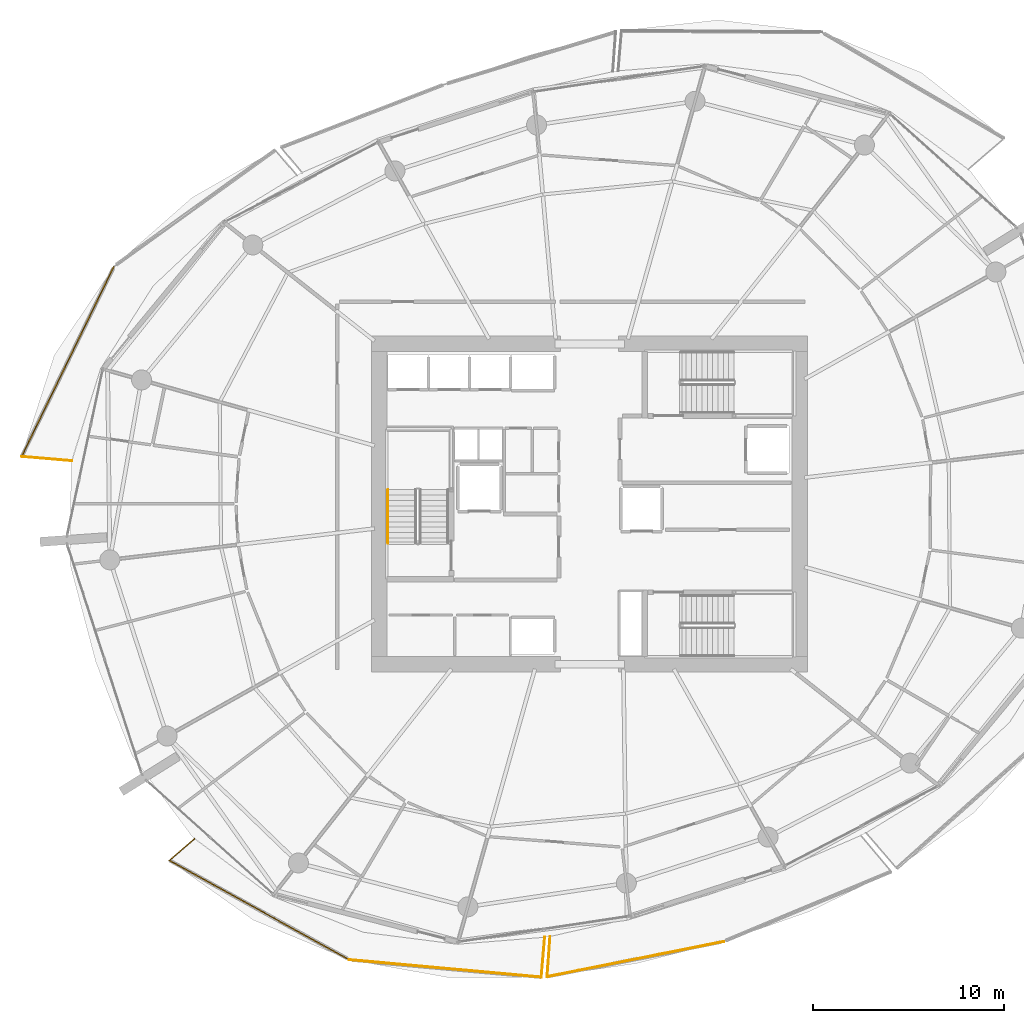
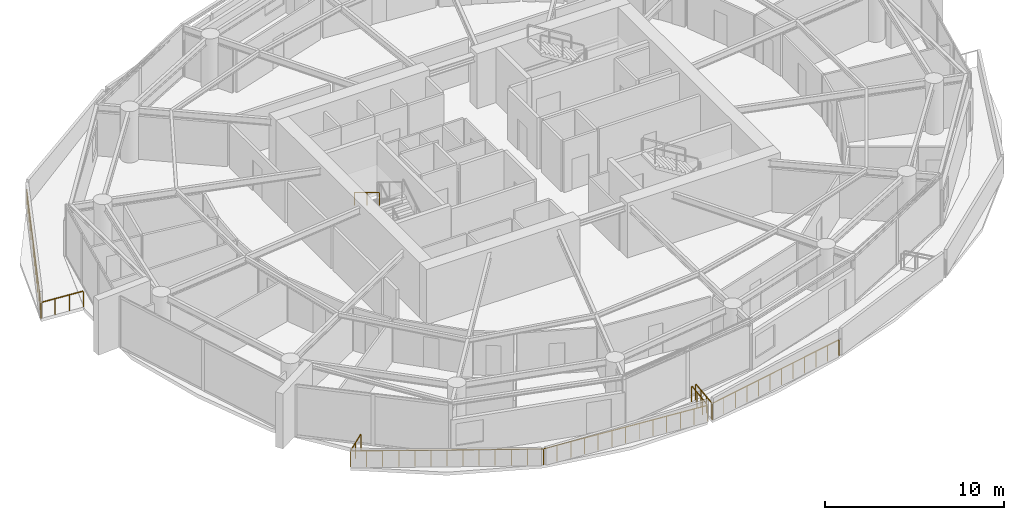
# One storey, part 16 of 20: 9 railings.
"""IFC4 building model written with IfcOpenShell, lengths in metres."""

from ifc_helpers import new_model, si_unit, direction, frame, origin, origin_2d, place, context, subcontext, project, spatial, rectangle, extrude, material, type_object, element, save


model = new_model("IFC4")

# Units and contexts
model_context = context("Model", 3, precision=1e-05, world=origin(), true_north=direction((0.0, 1.0)))
body_context = subcontext(model_context, "Body", "Model", "MODEL_VIEW")
ifc_project = project(units=[si_unit("LENGTHUNIT", "METRE"), si_unit("AREAUNIT", "SQUARE_METRE"), si_unit("VOLUMEUNIT", "CUBIC_METRE"), si_unit("PLANEANGLEUNIT", "RADIAN"), si_unit("MASSUNIT", "GRAM", prefix="KILO")], contexts=[model_context])

# Site, building, storey
site_placement = place(None, origin())
site = spatial("IfcSite", under=ifc_project, at=site_placement, CompositionType="ELEMENT")
building_placement = place(site_placement, origin())
building = spatial("IfcBuilding", under=site, at=building_placement, Name="Kazma Halo Residences", CompositionType="ELEMENT")
storey_placement = place(building_placement, frame((0.0, 0.0, 135.300048828125)))
storey = spatial("IfcBuildingStorey", under=building, at=storey_placement, Name="L33", CompositionType="ELEMENT", Elevation=135.300048828125)

# Railings
ifc_material_1 = material(Name="Aluminium AW-6063 T6 Brushed Cap Rail", Category="aluminium")
railing_type_1 = type_object("IfcRailingType", Name="RLG-BAL-CAP-1120", PredefinedType="BALUSTRADE", material=ifc_material_1)
railing_1_placement = place(storey_placement, frame((23.49609375, 54.4853515625, 0.0)))
element("IfcRailing", 1, at=railing_1_placement, inside=storey, type_object=railing_type_1, Name="L33 NW wave balcony guard 3", PredefinedType="BALUSTRADE", context=body_context, shape_type="SweptSolid", body=[
    extrude(rectangle(XDim=0.050048828125, YDim=0.050048828125, at=origin_2d()), frame((-0.0185546875, -0.038330078125, 1.09521484375), z_axis=(-0.437211218284, -0.8993588553, 0.0), x_axis=(0.8993588553, -0.437211218284, 0.0)), (0.0, 0.0, 1.0), 11.027099609375),
    extrude(rectangle(XDim=0.0400390625, YDim=0.0400390625, at=origin_2d()), origin(), (0.0, 0.0, 1.0), 1.05810546875),
    extrude(rectangle(XDim=0.0400390625, YDim=0.0400390625, at=origin_2d()), frame((-0.373779296875, -0.768798828125, 0.0)), (0.0, 0.0, 1.0), 1.05810546875),
    extrude(rectangle(XDim=0.0400390625, YDim=0.0400390625, at=origin_2d()), frame((-0.74755859375, -1.53759765625, 0.0)), (0.0, 0.0, 1.0), 1.05810546875),
    extrude(rectangle(XDim=0.0400390625, YDim=0.0400390625, at=origin_2d()), frame((-1.12109375, -2.306396484375, 0.0)), (0.0, 0.0, 1.0), 1.05810546875),
    extrude(rectangle(XDim=0.0400390625, YDim=0.0400390625, at=origin_2d()), frame((-1.494873046875, -3.074951171875, 0.0)), (0.0, 0.0, 1.0), 1.05810546875),
    extrude(rectangle(XDim=0.0400390625, YDim=0.0400390625, at=origin_2d()), frame((-1.86865234375, -3.84375, 0.0)), (0.0, 0.0, 1.0), 1.05810546875),
    extrude(rectangle(XDim=0.0400390625, YDim=0.0400390625, at=origin_2d()), frame((-2.242431640625, -4.612548828125, 0.0)), (0.0, 0.0, 1.0), 1.05810546875),
    extrude(rectangle(XDim=0.0400390625, YDim=0.0400390625, at=origin_2d()), frame((-2.615966796875, -5.38134765625, 0.0)), (0.0, 0.0, 1.0), 1.05810546875),
    extrude(rectangle(XDim=0.0400390625, YDim=0.0400390625, at=origin_2d()), frame((-2.98974609375, -6.150146484375, 0.0)), (0.0, 0.0, 1.0), 1.05810546875),
    extrude(rectangle(XDim=0.0400390625, YDim=0.0400390625, at=origin_2d()), frame((-3.363525390625, -6.9189453125, 0.0)), (0.0, 0.0, 1.0), 1.05810546875),
    extrude(rectangle(XDim=0.0400390625, YDim=0.0400390625, at=origin_2d()), frame((-3.7373046875, -7.6875, 0.0)), (0.0, 0.0, 1.0), 1.05810546875),
    extrude(rectangle(XDim=0.0400390625, YDim=0.0400390625, at=origin_2d()), frame((-4.11083984375, -8.456298828125, 0.0)), (0.0, 0.0, 1.0), 1.05810546875),
    extrude(rectangle(XDim=0.0400390625, YDim=0.0400390625, at=origin_2d()), frame((-4.484619140625, -9.22509765625, 0.0)), (0.0, 0.0, 1.0), 1.05810546875),
    extrude(rectangle(XDim=0.0400390625, YDim=0.0400390625, at=origin_2d()), frame((-4.8583984375, -9.993896484375, 0.0)), (0.0, 0.0, 1.0), 1.05810546875),
])
railing_2_placement = place(storey_placement, frame((18.6376953125, 44.491455078125, 0.0)))
element("IfcRailing", 2, at=railing_2_placement, inside=storey, type_object=railing_type_1, Name="L33 NW wave balcony guard 4", PredefinedType="BALUSTRADE", context=body_context, shape_type="SweptSolid", body=[
    extrude(rectangle(XDim=0.050048828125, YDim=0.050048828125, at=origin_2d()), frame((0.04248046875, -0.003662109375, 1.09521484375), z_axis=(0.996416946767, -0.084576995667, 0.0), x_axis=(0.084576995667, 0.996416946767, 0.0)), (0.0, 0.0, 1.0), 2.55322265625),
    extrude(rectangle(XDim=0.0400390625, YDim=0.0400390625, at=origin_2d()), origin(), (0.0, 0.0, 1.0), 1.05810546875),
    extrude(rectangle(XDim=0.0400390625, YDim=0.0400390625, at=origin_2d()), frame((0.876220703125, -0.074462890625, 0.0)), (0.0, 0.0, 1.0), 1.05810546875),
    extrude(rectangle(XDim=0.0400390625, YDim=0.0400390625, at=origin_2d()), frame((1.752685546875, -0.148681640625, 0.0)), (0.0, 0.0, 1.0), 1.05810546875),
    extrude(rectangle(XDim=0.0400390625, YDim=0.0400390625, at=origin_2d()), frame((2.62890625, -0.22314453125, 0.0)), (0.0, 0.0, 1.0), 1.05810546875),
])
railing_3_placement = place(storey_placement, frame((27.705322265625, 24.451416015625, 0.0)))
element("IfcRailing", 3, at=railing_3_placement, inside=storey, type_object=railing_type_1, Name="L33 SW wave balcony guard 1", PredefinedType="BALUSTRADE", context=body_context, shape_type="SweptSolid", body=[
    extrude(rectangle(XDim=0.050048828125, YDim=0.050048828125, at=origin_2d()), frame((-0.0322265625, -0.02783203125, 1.09521484375), z_axis=(-0.756363172452, -0.654151932932, 0.0), x_axis=(0.654151932932, -0.756363172452, 0.0)), (0.0, 0.0, 1.0), 1.65869140625),
    extrude(rectangle(XDim=0.0400390625, YDim=0.0400390625, at=origin_2d()), origin(), (0.0, 0.0, 1.0), 1.05810546875),
    extrude(rectangle(XDim=0.0400390625, YDim=0.0400390625, at=origin_2d()), frame((-0.659423828125, -0.5703125, 0.0)), (0.0, 0.0, 1.0), 1.05810546875),
    extrude(rectangle(XDim=0.0400390625, YDim=0.0400390625, at=origin_2d()), frame((-1.31884765625, -1.140625, 0.0)), (0.0, 0.0, 1.0), 1.05810546875),
])
railing_4_placement = place(storey_placement, frame((26.386474609375, 23.310791015625, 0.0)))
element("IfcRailing", 4, at=railing_4_placement, inside=storey, type_object=railing_type_1, Name="L33 SW wave balcony guard 2", PredefinedType="BALUSTRADE", context=body_context, shape_type="SweptSolid", body=[
    extrude(rectangle(XDim=0.050048828125, YDim=0.050048828125, at=origin_2d()), frame((0.037353515625, -0.0205078125, 1.09521484375), z_axis=(0.875455426186, -0.483298868984, 0.0), x_axis=(0.483298868984, 0.875455426186, 0.0)), (0.0, 0.0, 1.0), 10.69384765625),
    extrude(rectangle(XDim=0.0400390625, YDim=0.0400390625, at=origin_2d()), origin(), (0.0, 0.0, 1.0), 1.05810546875),
    extrude(rectangle(XDim=0.0400390625, YDim=0.0400390625, at=origin_2d()), frame((0.786376953125, -0.43408203125, 0.0)), (0.0, 0.0, 1.0), 1.05810546875),
    extrude(rectangle(XDim=0.0400390625, YDim=0.0400390625, at=origin_2d()), frame((1.57275390625, -0.8681640625, 0.0)), (0.0, 0.0, 1.0), 1.05810546875),
    extrude(rectangle(XDim=0.0400390625, YDim=0.0400390625, at=origin_2d()), frame((2.359130859375, -1.30224609375, 0.0)), (0.0, 0.0, 1.0), 1.05810546875),
    extrude(rectangle(XDim=0.0400390625, YDim=0.0400390625, at=origin_2d()), frame((3.1455078125, -1.736572265625, 0.0)), (0.0, 0.0, 1.0), 1.05810546875),
    extrude(rectangle(XDim=0.0400390625, YDim=0.0400390625, at=origin_2d()), frame((3.931884765625, -2.170654296875, 0.0)), (0.0, 0.0, 1.0), 1.05810546875),
    extrude(rectangle(XDim=0.0400390625, YDim=0.0400390625, at=origin_2d()), frame((4.71826171875, -2.604736328125, 0.0)), (0.0, 0.0, 1.0), 1.05810546875),
    extrude(rectangle(XDim=0.0400390625, YDim=0.0400390625, at=origin_2d()), frame((5.504638671875, -3.038818359375, 0.0)), (0.0, 0.0, 1.0), 1.05810546875),
    extrude(rectangle(XDim=0.0400390625, YDim=0.0400390625, at=origin_2d()), frame((6.291015625, -3.472900390625, 0.0)), (0.0, 0.0, 1.0), 1.05810546875),
    extrude(rectangle(XDim=0.0400390625, YDim=0.0400390625, at=origin_2d()), frame((7.077392578125, -3.9072265625, 0.0)), (0.0, 0.0, 1.0), 1.05810546875),
    extrude(rectangle(XDim=0.0400390625, YDim=0.0400390625, at=origin_2d()), frame((7.86376953125, -4.34130859375, 0.0)), (0.0, 0.0, 1.0), 1.05810546875),
    extrude(rectangle(XDim=0.0400390625, YDim=0.0400390625, at=origin_2d()), frame((8.650146484375, -4.775390625, 0.0)), (0.0, 0.0, 1.0), 1.05810546875),
    extrude(rectangle(XDim=0.0400390625, YDim=0.0400390625, at=origin_2d()), frame((9.4365234375, -5.20947265625, 0.0)), (0.0, 0.0, 1.0), 1.05810546875),
])
railing_5_placement = place(storey_placement, frame((35.822998046875, 18.101318359375, 0.0)))
element("IfcRailing", 5, at=railing_5_placement, inside=storey, type_object=railing_type_1, Name="L33 SW wave balcony guard 3", PredefinedType="BALUSTRADE", context=body_context, shape_type="SweptSolid", body=[
    extrude(rectangle(XDim=0.050048828125, YDim=0.050048828125, at=origin_2d()), frame((0.04248046875, -0.00390625, 1.09521484375), z_axis=(0.995911390997, -0.090335492925, 0.0), x_axis=(0.090335492925, 0.995911390997, 0.0)), (0.0, 0.0, 1.0), 10.028076171875),
    extrude(rectangle(XDim=0.0400390625, YDim=0.0400390625, at=origin_2d()), origin(), (0.0, 0.0, 1.0), 1.05810546875),
    extrude(rectangle(XDim=0.0400390625, YDim=0.0400390625, at=origin_2d()), frame((0.83935546875, -0.076171875, 0.0)), (0.0, 0.0, 1.0), 1.05810546875),
    extrude(rectangle(XDim=0.0400390625, YDim=0.0400390625, at=origin_2d()), frame((1.6787109375, -0.15234375, 0.0)), (0.0, 0.0, 1.0), 1.05810546875),
    extrude(rectangle(XDim=0.0400390625, YDim=0.0400390625, at=origin_2d()), frame((2.51806640625, -0.228515625, 0.0)), (0.0, 0.0, 1.0), 1.05810546875),
    extrude(rectangle(XDim=0.0400390625, YDim=0.0400390625, at=origin_2d()), frame((3.357177734375, -0.304443359375, 0.0)), (0.0, 0.0, 1.0), 1.05810546875),
    extrude(rectangle(XDim=0.0400390625, YDim=0.0400390625, at=origin_2d()), frame((4.196533203125, -0.380615234375, 0.0)), (0.0, 0.0, 1.0), 1.05810546875),
    extrude(rectangle(XDim=0.0400390625, YDim=0.0400390625, at=origin_2d()), frame((5.035888671875, -0.456787109375, 0.0)), (0.0, 0.0, 1.0), 1.05810546875),
    extrude(rectangle(XDim=0.0400390625, YDim=0.0400390625, at=origin_2d()), frame((5.875244140625, -0.532958984375, 0.0)), (0.0, 0.0, 1.0), 1.05810546875),
    extrude(rectangle(XDim=0.0400390625, YDim=0.0400390625, at=origin_2d()), frame((6.714599609375, -0.609130859375, 0.0)), (0.0, 0.0, 1.0), 1.05810546875),
    extrude(rectangle(XDim=0.0400390625, YDim=0.0400390625, at=origin_2d()), frame((7.5537109375, -0.68505859375, 0.0)), (0.0, 0.0, 1.0), 1.05810546875),
    extrude(rectangle(XDim=0.0400390625, YDim=0.0400390625, at=origin_2d()), frame((8.39306640625, -0.76123046875, 0.0)), (0.0, 0.0, 1.0), 1.05810546875),
    extrude(rectangle(XDim=0.0400390625, YDim=0.0400390625, at=origin_2d()), frame((9.232421875, -0.83740234375, 0.0)), (0.0, 0.0, 1.0), 1.05810546875),
    extrude(rectangle(XDim=0.0400390625, YDim=0.0400390625, at=origin_2d()), frame((10.07177734375, -0.91357421875, 0.0)), (0.0, 0.0, 1.0), 1.05810546875),
])
railing_6_placement = place(storey_placement, frame((45.894775390625, 17.187744140625, 0.0)))
element("IfcRailing", 6, at=railing_6_placement, inside=storey, type_object=railing_type_1, Name="L33 SW wave balcony guard 4", PredefinedType="BALUSTRADE", context=body_context, shape_type="SweptSolid", body=[
    extrude(rectangle(XDim=0.050048828125, YDim=0.050048828125, at=origin_2d()), frame((0.003662109375, 0.04248046875, 1.09521484375), z_axis=(0.084431334239, 0.99642929995, 0.0), x_axis=(-0.99642929995, 0.084431334239, 0.0)), (0.0, 0.0, 1.0), 2.01416015625),
    extrude(rectangle(XDim=0.0400390625, YDim=0.0400390625, at=origin_2d()), origin(), (0.0, 0.0, 1.0), 1.05810546875),
    extrude(rectangle(XDim=0.0400390625, YDim=0.0400390625, at=origin_2d()), frame((0.05908203125, 0.697265625, 0.0)), (0.0, 0.0, 1.0), 1.05810546875),
    extrude(rectangle(XDim=0.0400390625, YDim=0.0400390625, at=origin_2d()), frame((0.1181640625, 1.39453125, 0.0)), (0.0, 0.0, 1.0), 1.05810546875),
    extrude(rectangle(XDim=0.0400390625, YDim=0.0400390625, at=origin_2d()), frame((0.17724609375, 2.091796875, 0.0)), (0.0, 0.0, 1.0), 1.05810546875),
])
railing_7_placement = place(storey_placement, frame((46.3544921875, 19.32177734375, 0.0)))
element("IfcRailing", 7, at=railing_7_placement, inside=storey, type_object=railing_type_1, Name="L33 SSE wave balcony guard 1", PredefinedType="BALUSTRADE", context=body_context, shape_type="SweptSolid", body=[
    extrude(rectangle(XDim=0.050048828125, YDim=0.050048828125, at=origin_2d()), frame((-0.003173828125, -0.04248046875, 1.09521484375), z_axis=(-0.0724124574, -0.997374772096, 0.0), x_axis=(0.997374772096, -0.0724124574, 0.0)), (0.0, 0.0, 1.0), 2.02880859375),
    extrude(rectangle(XDim=0.0400390625, YDim=0.0400390625, at=origin_2d()), origin(), (0.0, 0.0, 1.0), 1.05810546875),
    extrude(rectangle(XDim=0.0400390625, YDim=0.0400390625, at=origin_2d()), frame((-0.051025390625, -0.702880859375, 0.0)), (0.0, 0.0, 1.0), 1.05810546875),
    extrude(rectangle(XDim=0.0400390625, YDim=0.0400390625, at=origin_2d()), frame((-0.10205078125, -1.405517578125, 0.0)), (0.0, 0.0, 1.0), 1.05810546875),
    extrude(rectangle(XDim=0.0400390625, YDim=0.0400390625, at=origin_2d()), frame((-0.153076171875, -2.1083984375, 0.0)), (0.0, 0.0, 1.0), 1.05810546875),
])
railing_8_placement = place(storey_placement, frame((46.201416015625, 17.21337890625, 0.0)))
element("IfcRailing", 8, at=railing_8_placement, inside=storey, type_object=railing_type_1, Name="L33 SSE wave balcony guard 2", PredefinedType="BALUSTRADE", context=body_context, shape_type="SweptSolid", body=[
    extrude(rectangle(XDim=0.050048828125, YDim=0.050048828125, at=origin_2d()), frame((0.041748046875, 0.00830078125, 1.09521484375), z_axis=(0.980809889585, 0.194966562497, 0.0), x_axis=(-0.194966562497, 0.980809889585, 0.0)), (0.0, 0.0, 1.0), 9.350341796875),
    extrude(rectangle(XDim=0.0400390625, YDim=0.0400390625, at=origin_2d()), origin(), (0.0, 0.0, 1.0), 1.05810546875),
    extrude(rectangle(XDim=0.0400390625, YDim=0.0400390625, at=origin_2d()), frame((0.84130859375, 0.167236328125, 0.0)), (0.0, 0.0, 1.0), 1.05810546875),
    extrude(rectangle(XDim=0.0400390625, YDim=0.0400390625, at=origin_2d()), frame((1.6826171875, 0.33447265625, 0.0)), (0.0, 0.0, 1.0), 1.05810546875),
    extrude(rectangle(XDim=0.0400390625, YDim=0.0400390625, at=origin_2d()), frame((2.52392578125, 0.501708984375, 0.0)), (0.0, 0.0, 1.0), 1.05810546875),
    extrude(rectangle(XDim=0.0400390625, YDim=0.0400390625, at=origin_2d()), frame((3.365234375, 0.6689453125, 0.0)), (0.0, 0.0, 1.0), 1.05810546875),
    extrude(rectangle(XDim=0.0400390625, YDim=0.0400390625, at=origin_2d()), frame((4.20654296875, 0.836181640625, 0.0)), (0.0, 0.0, 1.0), 1.05810546875),
    extrude(rectangle(XDim=0.0400390625, YDim=0.0400390625, at=origin_2d()), frame((5.0478515625, 1.00341796875, 0.0)), (0.0, 0.0, 1.0), 1.05810546875),
    extrude(rectangle(XDim=0.0400390625, YDim=0.0400390625, at=origin_2d()), frame((5.88916015625, 1.170654296875, 0.0)), (0.0, 0.0, 1.0), 1.05810546875),
    extrude(rectangle(XDim=0.0400390625, YDim=0.0400390625, at=origin_2d()), frame((6.73046875, 1.337890625, 0.0)), (0.0, 0.0, 1.0), 1.05810546875),
    extrude(rectangle(XDim=0.0400390625, YDim=0.0400390625, at=origin_2d()), frame((7.57177734375, 1.505126953125, 0.0)), (0.0, 0.0, 1.0), 1.05810546875),
    extrude(rectangle(XDim=0.0400390625, YDim=0.0400390625, at=origin_2d()), frame((8.4130859375, 1.67236328125, 0.0)), (0.0, 0.0, 1.0), 1.05810546875),
    extrude(rectangle(XDim=0.0400390625, YDim=0.0400390625, at=origin_2d()), frame((9.25439453125, 1.839599609375, 0.0)), (0.0, 0.0, 1.0), 1.05810546875),
])
ifc_material_2 = material(Name="Brushed Stainless Steel", Category="steel")
railing_type_2 = type_object("IfcRailingType", Name="RLG-STAIR-HND-900", PredefinedType="HANDRAIL", material=ifc_material_2)
railing_9_placement = place(storey_placement, frame((37.85009765625, 42.75, 2.04541015625)))
element("IfcRailing", 9, at=railing_9_placement, inside=storey, type_object=railing_type_2, Name="L33 ST-01 stair handrail 2", PredefinedType="HANDRAIL", context=body_context, shape_type="SweptSolid", body=[
    extrude(rectangle(XDim=0.050048828125, YDim=0.050048828125, at=origin_2d()), frame((0.0, -0.036376953125, 0.89697265625), z_axis=(0.0, -0.854169791009, 0.51999420009), x_axis=(1.0, 0.0, 0.0)), (0.0, 0.0, 1.0), 3.193115234375),
    extrude(rectangle(XDim=0.0400390625, YDim=0.0400390625, at=origin_2d()), origin(), (0.0, 0.0, 1.0), 0.837890625),
    extrude(rectangle(XDim=0.0400390625, YDim=0.0400390625, at=origin_2d()), frame((0.0, -1.39990234375, 0.852294921875)), (0.0, 0.0, 1.0), 0.837890625),
    extrude(rectangle(XDim=0.0400390625, YDim=0.0400390625, at=origin_2d()), frame((0.0, -2.800048828125, 1.70458984375)), (0.0, 0.0, 1.0), 0.837890625),
])

save(model, "model.ifc")
